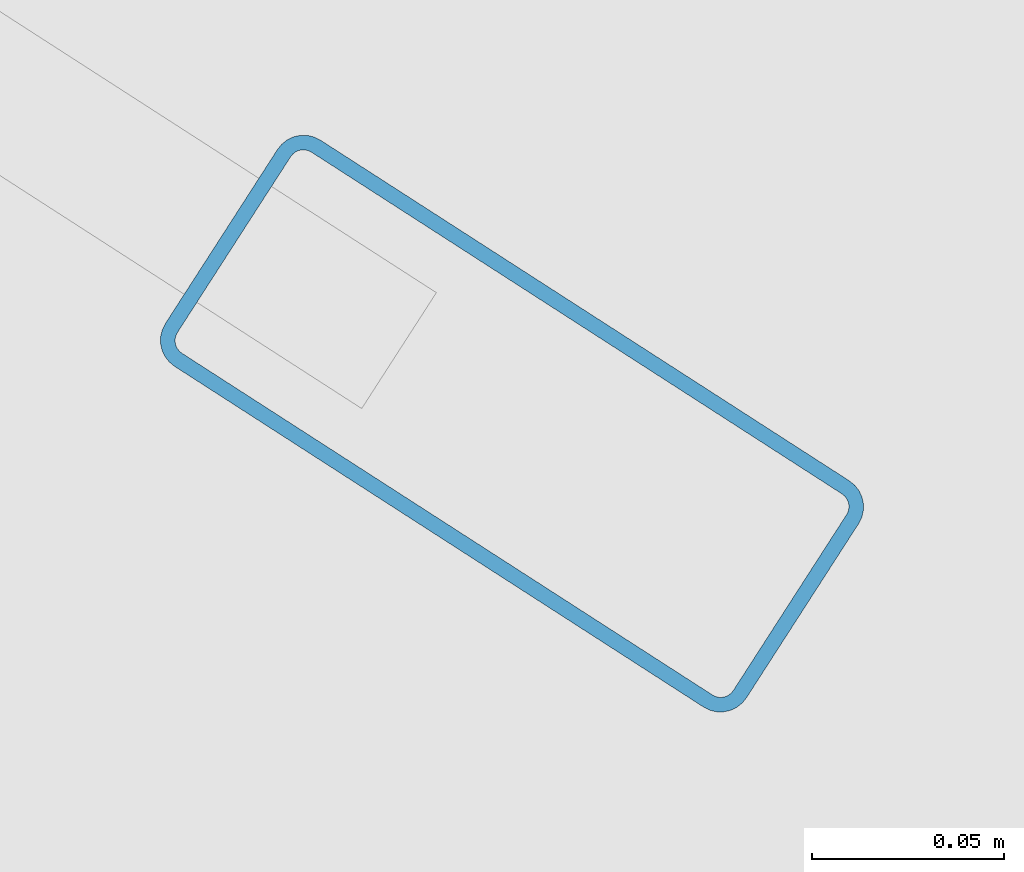
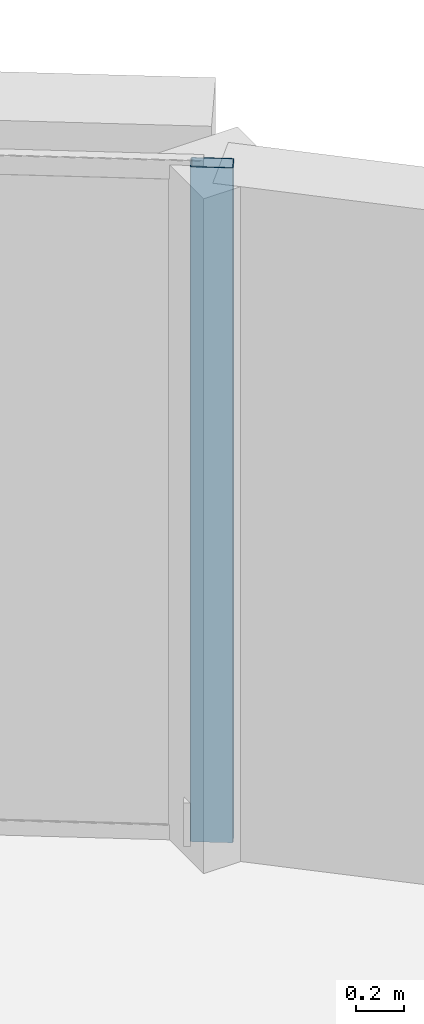
# One storey, part 5 of 15: 1 member, 1 element without a shape of its own.
"""IFC4 building model written with IfcOpenShell, lengths in metres."""

from ifc_helpers import new_model, si_unit, direction, frame, origin, origin_2d, place, context, subcontext, project, spatial, hollow_rectangle, extrude, material, layer, layer_set, material_profile, profile_set, type_object, element, aggregate, save


model = new_model("IFC4")

# Units and contexts
model_context = context("Model", 3, precision=1e-05, world=origin(), true_north=direction((0.0, 1.0)))
body_context = subcontext(model_context, "Body", "Model", "MODEL_VIEW")
ifc_project = project(units=[si_unit("LENGTHUNIT", "METRE"), si_unit("AREAUNIT", "SQUARE_METRE"), si_unit("VOLUMEUNIT", "CUBIC_METRE"), si_unit("PLANEANGLEUNIT", "RADIAN"), si_unit("MASSUNIT", "GRAM", prefix="KILO")], contexts=[model_context])

# Site, building, storey
site_placement = place(None, origin())
site = spatial("IfcSite", under=ifc_project, at=site_placement, CompositionType="ELEMENT")
building_placement = place(site_placement, origin())
building = spatial("IfcBuilding", under=site, at=building_placement, Name="An Khanh Terracotta Commons", CompositionType="ELEMENT")
storey_placement = place(building_placement, frame((0.0, 0.0, 176.199951171875)))
storey = spatial("IfcBuildingStorey", under=building, at=storey_placement, Name="L46", CompositionType="ELEMENT", Elevation=176.199951171875)

# Curtain wall, member
ifc_material = material(Name="Anodised Aluminium 6063-T6", Category="aluminium")
ifc_layer = layer(ifc_material, 0.2099609375, Name="Anodised Aluminium 6063-T6")
ifc_layer_set = layer_set([ifc_layer], Name="Anodised Aluminium 6063-T6")
curtain_wall_type = type_object("IfcCurtainWallType", Name="CW-SYS-03", PredefinedType="USERDEFINED", material=ifc_layer_set)
curtain_wall_placement = place(storey_placement, origin())
curtain_wall = element("IfcCurtainWall", 1, at=curtain_wall_placement, inside=storey, type_object=curtain_wall_type, Name="L46 CW-03 Unitised Curtain Wall CW-L46-16", ObjectType="UNITISED CURTAIN WALL", PredefinedType="USERDEFINED")
ifc_material_profile = material_profile(ifc_material, hollow_rectangle(XDim=0.070068359375, YDim=0.179931640625, WallThickness=0.00390625, InnerFilletRadius=0.00390625, OuterFilletRadius=0.008056640625, at=origin_2d()), Name="RHS180x70x4")
ifc_profile_set = profile_set([ifc_material_profile], Name="Anodised Aluminium 6063-T6")
member_type = type_object("IfcMemberType", Name="CWM-RHS180x70x4", PredefinedType="MULLION", material=ifc_profile_set)
member_placement = place(storey_placement, frame((60.448486328125, 35.843017578125, 0.0), z_axis=(0.0, 0.0, 1.0), x_axis=(-0.541497931062, -0.840702081986, 0.0)))
member = element("IfcMember", 2, at=member_placement, type_object=member_type, Name="CW-03 mullion 1", PredefinedType="MULLION", context=body_context, shape_type="SweptSolid", body=[
    extrude(hollow_rectangle(XDim=0.070068359375, YDim=0.179931640625, WallThickness=0.00390625, InnerFilletRadius=0.00390625, OuterFilletRadius=0.008056640625, at=origin_2d()), origin(), (0.0, 0.0, 1.0), 3.400146484375),
])
aggregate(curtain_wall, [member])

save(model, "model.ifc")
